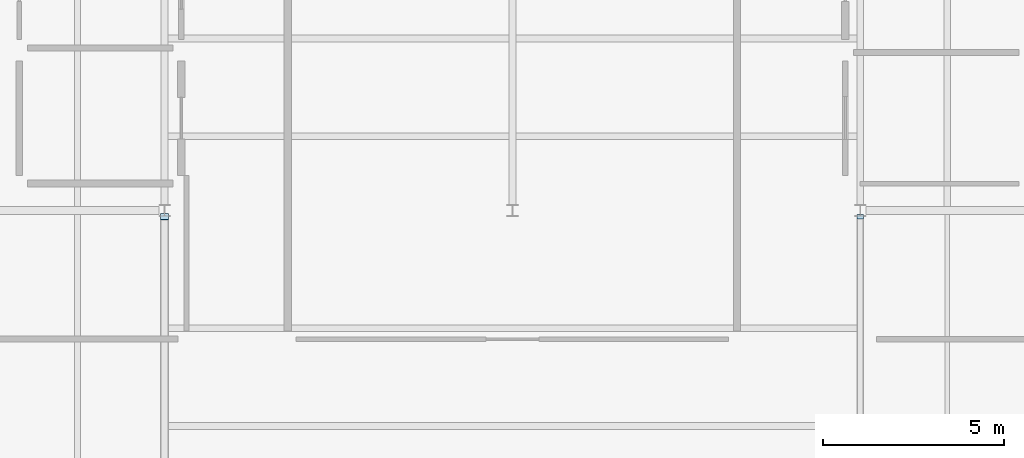
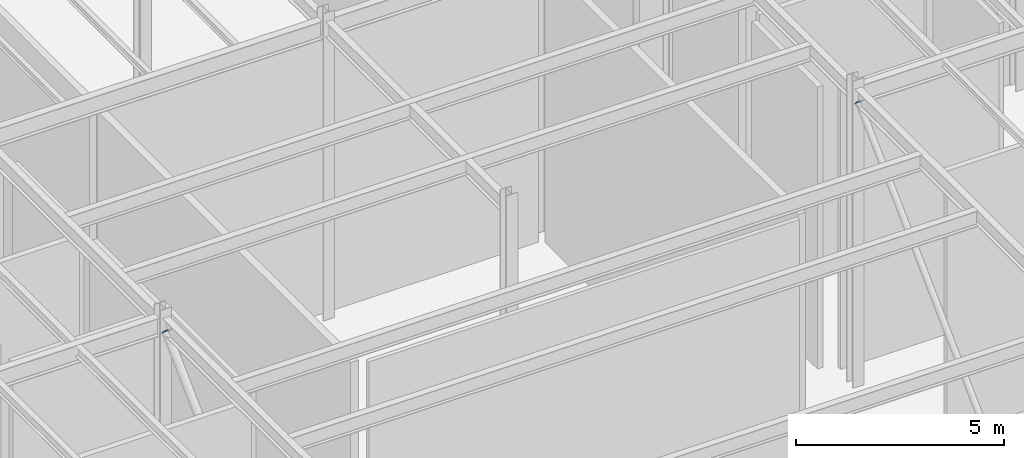
# One storey, part 33 of 48: 2 plates.
"""IFC4 building model written with IfcOpenShell, lengths in metres."""

from ifc_helpers import new_model, si_unit, direction, frame, origin, origin_2d, place, context, subcontext, project, spatial, rectangle, extrude, material, layer, layer_set, type_object, element, save


model = new_model("IFC4")

# Units and contexts
model_context = context("Model", 3, precision=1e-05, world=origin(), true_north=direction((0.0, 1.0)))
body_context = subcontext(model_context, "Body", "Model", "MODEL_VIEW")
ifc_project = project(units=[si_unit("LENGTHUNIT", "METRE"), si_unit("AREAUNIT", "SQUARE_METRE"), si_unit("VOLUMEUNIT", "CUBIC_METRE"), si_unit("PLANEANGLEUNIT", "RADIAN"), si_unit("MASSUNIT", "GRAM", prefix="KILO")], contexts=[model_context])

# Site, building, storey
site_placement = place(None, origin())
site = spatial("IfcSite", under=ifc_project, at=site_placement, CompositionType="ELEMENT")
building_placement = place(site_placement, origin())
building = spatial("IfcBuilding", under=site, at=building_placement, Name="Sarnbrook Museum", CompositionType="ELEMENT")
storey_placement = place(building_placement, frame((0.0, 0.0, 19.10009765625)))
storey = spatial("IfcBuildingStorey", under=building, at=storey_placement, Name="L04", CompositionType="ELEMENT", Elevation=19.10009765625)

# Plates
ifc_material = material(Name="Structural Steel Grade 350L0 (AS/NZS 3678, fy = 340 MPa for 20 < t <= 40 mm)", Category="steel")
ifc_layer_1 = layer(ifc_material, 0.01611328125)
ifc_layer_set_1 = layer_set([ifc_layer_1], Name="Structural Steel Grade 350L0 (AS/NZS 3678, fy = 340 MPa for 20 < t <= 40 mm)")
plate_type_1 = type_object("IfcPlateType", Name="EndCapPlate_CAP168", PredefinedType="USERDEFINED", material=ifc_layer_set_1)
plate_1_placement = place(storey_placement, frame((109.60009765625, 83.019775390625, 8.349853515625), z_axis=(0.0, 0.715957737177, 0.698143623173), x_axis=(-1.0, 0.0, 0.0)))
element("IfcPlate", 1, at=plate_1_placement, inside=storey, type_object=plate_type_1, Name="Hollow End Cap Plate CBF:4:L04-2", ObjectType="END CAP PLATE", PredefinedType="USERDEFINED", context=body_context, shape_type="SweptSolid", body=[
    extrude(rectangle(XDim=0.175048828125, YDim=0.175048828125, at=origin_2d()), origin(), (0.0, 0.0, 1.0), 0.01611328125),
])
ifc_layer_2 = layer(ifc_material, 0.01611328125)
ifc_layer_set_2 = layer_set([ifc_layer_2], Name="Structural Steel Grade 350L0 (AS/NZS 3678, fy = 340 MPa for 20 < t <= 40 mm)")
plate_type_2 = type_object("IfcPlateType", Name="EndCapPlate_CAP219", PredefinedType="USERDEFINED", material=ifc_layer_set_2)
plate_2_placement = place(storey_placement, frame((90.39990234375, 83.019775390625, 8.349853515625), z_axis=(0.0, 0.715957737177, 0.698143623173), x_axis=(-1.0, 0.0, 0.0)))
element("IfcPlate", 2, at=plate_2_placement, inside=storey, type_object=plate_type_2, Name="Hollow End Cap Plate CBF:3:L04-2", ObjectType="END CAP PLATE", PredefinedType="USERDEFINED", context=body_context, shape_type="SweptSolid", body=[
    extrude(rectangle(XDim=0.22509765625, YDim=0.22509765625, at=origin_2d()), origin(), (0.0, 0.0, 1.0), 0.01611328125),
])

save(model, "model.ifc")
